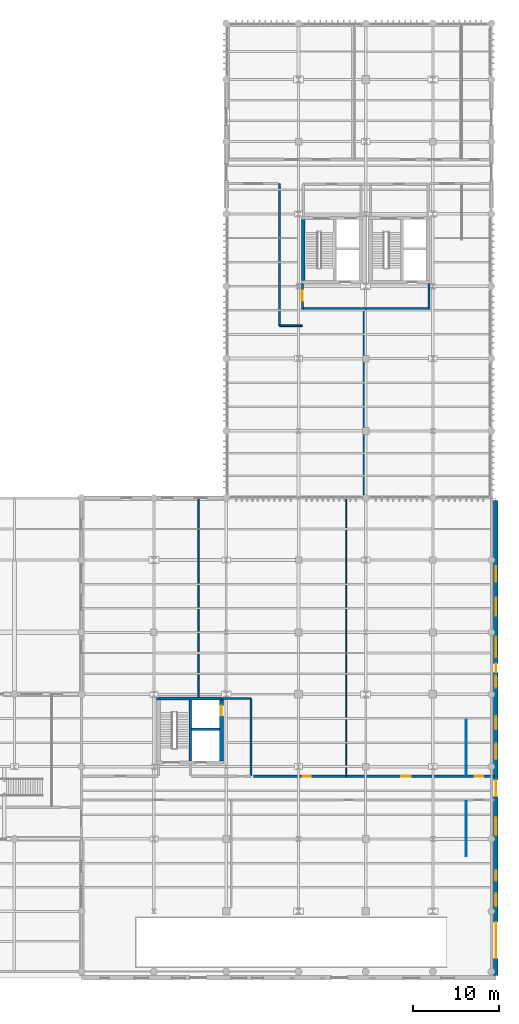
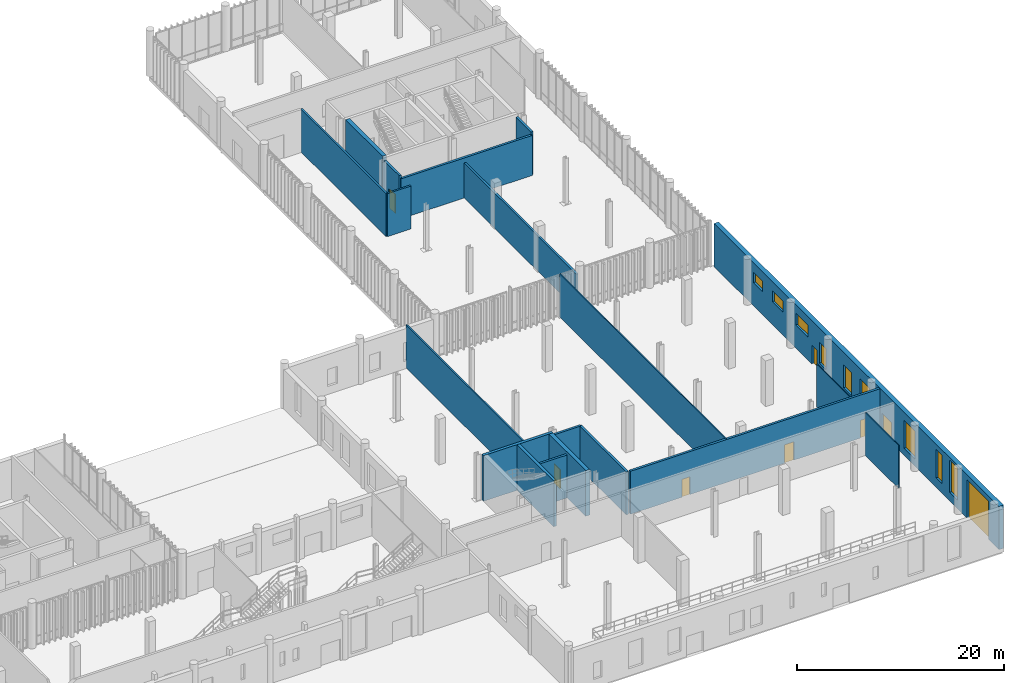
# One storey, part 93 of 112: 19 walls, 9 windows, 8 doors, 17 openings.
"""IFC4 building model written with IfcOpenShell, lengths in metres."""

import ifcopenshell
import ifcopenshell.guid

model = None  # the IFC model being written
_history = None  # IfcOwnerHistory: only IFC2X3 demands one
_inside = {}  # id of a spatial element -> (the spatial element, [elements in it])
_under = {}  # id of a project, library or spatial element -> (it, [spatial elements below it])
_declared = {}  # id of a project -> (the project, [libraries it declares])
_typed = {}  # id of a type object -> (the type object, [elements of that type])
_made_of = {}  # id of a material, layer set ... -> (it, [elements and type objects made of it])


def new_model(schema):
    """Start an empty IFC model of exactly this schema.

    Asked for "IFC4X3", IfcOpenShell would pick the latest addendum, in which some entities
    have other attributes; the version numbers below select the first issue.
    IFC2X3 requires an IfcOwnerHistory on every rooted entity: one is made here for all.
    """
    global model, _history
    if schema == "IFC4X3":
        model = ifcopenshell.file(schema_version=(4, 3, 0, 0))
    else:
        model = ifcopenshell.file(schema=schema)
    _inside.clear()
    _under.clear()
    _declared.clear()
    _typed.clear()
    _made_of.clear()
    _history = None
    if model.schema == "IFC2X3":
        org = make("IfcOrganization", Name="unknown")
        user = make(
            "IfcPersonAndOrganization",
            ThePerson=make("IfcPerson", FamilyName="unknown"),
            TheOrganization=org,
        )
        app = make(
            "IfcApplication",
            ApplicationDeveloper=org,
            Version="unknown",
            ApplicationFullName="unknown",
            ApplicationIdentifier="unknown",
        )
        _history = make(
            "IfcOwnerHistory",
            OwningUser=user,
            OwningApplication=app,
            ChangeAction="ADDED",
            CreationDate=0,
        )
    return model


def make(cls, **values):
    """One entity of the class cls with the attributes given. An attribute that is None is left unset."""
    return model.create_entity(
        cls, **{name: value for name, value in values.items() if value is not None}
    )


def rooted(cls, **values):
    """An entity with a GlobalId (a new one), such as an element, a storey or a relation."""
    return make(cls, GlobalId=ifcopenshell.guid.new(), OwnerHistory=_history, **values)


def si_unit(unit_type, name, prefix=None):
    """IfcSIUnit, for example si_unit("LENGTHUNIT", "METRE", prefix="MILLI")."""
    return make("IfcSIUnit", UnitType=unit_type, Prefix=prefix, Name=name)


def assignment(units):
    """IfcUnitAssignment: the units of a project."""
    return None if units is None else make("IfcUnitAssignment", Units=units)


def point(xyz):
    """IfcCartesianPoint."""
    return None if xyz is None else make("IfcCartesianPoint", Coordinates=xyz)


def direction(xyz):
    """IfcDirection."""
    return None if xyz is None else make("IfcDirection", DirectionRatios=xyz)


def frame(location, z_axis=None, x_axis=None):
    """IfcAxis2Placement3D, a coordinate frame: its origin and axes. An axis left out is left unset."""
    return make(
        "IfcAxis2Placement3D",
        Location=point(location),
        Axis=direction(z_axis),
        RefDirection=direction(x_axis),
    )


def frame_2d(location, x_axis=None):
    """IfcAxis2Placement2D, a coordinate frame in the plane: its origin and x axis."""
    return make(
        "IfcAxis2Placement2D", Location=point(location), RefDirection=direction(x_axis)
    )


def origin_with_axes():
    """The frame at (0, 0, 0) with the z axis (0, 0, 1) and the x axis (1, 0, 0) written out."""
    return frame((0.0, 0.0, 0.0), z_axis=(0.0, 0.0, 1.0), x_axis=(1.0, 0.0, 0.0))


def place(relative_to, where):
    """IfcLocalPlacement: puts the frame where relative to a parent placement (None: the world)."""
    return make(
        "IfcLocalPlacement", PlacementRelTo=relative_to, RelativePlacement=where
    )


def context(
    kind, dimensions, precision=None, world=None, true_north=None, identifier=None
):
    """IfcGeometricRepresentationContext, for example the 3D "Model" context."""
    return make(
        "IfcGeometricRepresentationContext",
        ContextIdentifier=identifier,
        ContextType=kind,
        CoordinateSpaceDimension=dimensions,
        Precision=precision,
        WorldCoordinateSystem=world,
        TrueNorth=true_north,
    )


def subcontext(parent, identifier, kind, view, scale=None):
    """IfcGeometricRepresentationSubContext, for example "Body" below "Model"."""
    return make(
        "IfcGeometricRepresentationSubContext",
        ContextIdentifier=identifier,
        ContextType=kind,
        ParentContext=parent,
        TargetScale=scale,
        TargetView=view,
    )


def project(units=None, contexts=None):
    """IfcProject with its units and contexts."""
    return rooted(
        "IfcProject",
        Name="project",
        RepresentationContexts=contexts,
        UnitsInContext=assignment(units),
    )


def spatial(cls, under=None, at=None, **own):
    """A site, building, storey or space (cls), placed at a placement, below another one or the project."""
    s = rooted(cls, ObjectPlacement=at, **own)
    if under is not None:
        _under.setdefault(under.id(), (under, []))[1].append(s)
    return s


def profile(cls, at=None, kind="AREA", **sizes):
    """A parametric profile (cls). Its sizes go by their IFC names, for example OverallWidth=200.0."""
    return make(cls, ProfileType=kind, Position=at, **sizes)


def rectangle(**sizes):
    """IfcRectangleProfileDef."""
    return profile("IfcRectangleProfileDef", **sizes)


def extrude(swept, where, along, depth):
    """IfcExtrudedAreaSolid: the profile swept, set in the frame where, extruded along a direction by depth."""
    return make(
        "IfcExtrudedAreaSolid",
        SweptArea=swept,
        Position=where,
        ExtrudedDirection=direction(along),
        Depth=depth,
    )


def shape(context_of_items, identifier, shape_type, items):
    """IfcShapeRepresentation: the items that make up one representation, for example the "Body"."""
    return make(
        "IfcShapeRepresentation",
        ContextOfItems=context_of_items,
        RepresentationIdentifier=identifier,
        RepresentationType=shape_type,
        Items=items,
    )


def material(Name=None, Category=None):
    """IfcMaterial."""
    return make("IfcMaterial", Name=Name, Category=Category)


def layer(
    of_material, thickness, ventilated=None, Name=None, Category=None, Priority=None
):
    """IfcMaterialLayer: one layer of a wall or slab, of a material (None: an air gap)."""
    return make(
        "IfcMaterialLayer",
        Material=of_material,
        LayerThickness=thickness,
        IsVentilated=ventilated,
        Name=Name,
        Category=Category,
        Priority=Priority,
    )


def layer_set(layers, Name=None):
    """IfcMaterialLayerSet."""
    return make("IfcMaterialLayerSet", MaterialLayers=layers, LayerSetName=Name)


def made_of(thing, what):
    """Note that an element or type object is made of a material, layer set ...; save() writes the relation."""
    if what is not None:
        _made_of.setdefault(what.id(), (what, []))[1].append(thing)
    return thing


def type_object(cls, material=None, **own):
    """A type object (cls), such as IfcWallType, which elements share."""
    return made_of(rooted(cls, **own), material)


def element(
    cls,
    number,
    at=None,
    inside=None,
    cuts=None,
    type_object=None,
    material=None,
    context=None,
    identifier="Body",
    shape_type=None,
    held_by="IfcProductDefinitionShape",
    body=None,
    shapes=None,
    **own,
):
    """One element of the class cls, such as IfcWall. Its Tag is "e" and its number.

    at: its placement. inside: the storey or other place that contains it. cuts: it is an
    opening in that element (IfcRelVoidsElement). A single representation is given by context,
    identifier, shape_type and body (its items); several are given by shapes. held_by: the class
    of the entity that holds the representations. save() writes the other relations.
    """
    e = rooted(cls, Tag="e%d" % number, ObjectPlacement=at, **own)
    if body is not None:
        shapes = [shape(context, identifier, shape_type, body)]
    if shapes is not None:
        e.Representation = make(held_by, Representations=shapes)
    if inside is not None:
        _inside.setdefault(inside.id(), (inside, []))[1].append(e)
    if cuts is not None:
        rooted(
            "IfcRelVoidsElement", RelatingBuildingElement=cuts, RelatedOpeningElement=e
        )
    if type_object is not None:
        _typed.setdefault(type_object.id(), (type_object, []))[1].append(e)
    return made_of(e, material)


def fill(opening, filler):
    """IfcRelFillsElement: the door or window that sits in an opening."""
    return rooted(
        "IfcRelFillsElement",
        RelatingOpeningElement=opening,
        RelatedBuildingElement=filler,
    )


def aggregate(whole, parts):
    """IfcRelAggregates: a whole, such as a stair, and the parts it consists of."""
    return rooted("IfcRelAggregates", RelatingObject=whole, RelatedObjects=parts)


def save(model, path):
    """Write the relations noted so far, then the file.

    IfcRelAggregates (storeys below a building ...), IfcRelContainedInSpatialStructure (elements
    in a storey), IfcRelDefinesByType, IfcRelAssociatesMaterial and IfcRelDeclares: one each for
    every whole, place, type object, material and project.
    """
    for whole, parts in _under.values():
        aggregate(whole, parts)
    for where, things in _inside.values():
        rooted(
            "IfcRelContainedInSpatialStructure",
            RelatedElements=things,
            RelatingStructure=where,
        )
    for kind, things in _typed.values():
        rooted("IfcRelDefinesByType", RelatedObjects=things, RelatingType=kind)
    for what, things in _made_of.values():
        rooted("IfcRelAssociatesMaterial", RelatedObjects=things, RelatingMaterial=what)
    for by, libraries in _declared.values():
        rooted("IfcRelDeclares", RelatingContext=by, RelatedDefinitions=libraries)
    model.write(path)


model = new_model("IFC4")

# Units and contexts
model_context = context("Model", 3, precision=1e-05, world=origin_with_axes(), true_north=direction((0.0, 1.0)))
body_context = subcontext(model_context, "Body", "Model", "MODEL_VIEW")
ifc_project = project(units=[si_unit("LENGTHUNIT", "METRE"), si_unit("AREAUNIT", "SQUARE_METRE"), si_unit("VOLUMEUNIT", "CUBIC_METRE"), si_unit("PLANEANGLEUNIT", "RADIAN"), si_unit("MASSUNIT", "GRAM", prefix="KILO"), si_unit("THERMODYNAMICTEMPERATUREUNIT", "KELVIN")], contexts=[model_context])

# Site, building, storey
site_placement = place(None, origin_with_axes())
site = spatial("IfcSite", under=ifc_project, at=site_placement, CompositionType="ELEMENT")
building_placement = place(site_placement, origin_with_axes())
building = spatial("IfcBuilding", under=site, at=building_placement, Name="Montbau Bow Law Courts", CompositionType="ELEMENT")
storey_placement = place(building_placement, origin_with_axes())
storey = spatial("IfcBuildingStorey", under=building, at=storey_placement, Name="L00", CompositionType="ELEMENT", Elevation=0.0)

# Wall
ifc_material_1 = material(Name="Concrete CSA A23.1 f'c 45 MPa", Category="concrete")
ifc_layer_1 = layer(ifc_material_1, 0.45, Name="Shear Wall", Category="concrete")
ifc_layer_set_1 = layer_set([ifc_layer_1], Name="Concrete CSA A23.1 f'c 45 MPa")
wall_type_1 = type_object("IfcWallType", Name="W-COR-02", PredefinedType="SHEAR", material=ifc_layer_set_1)
wall_1_placement = place(None, frame((147.54, 94.16, 0.0), z_axis=(0.0, 0.0, 1.0), x_axis=(0.0, -1.0, 0.0)))
element("IfcWall", 1, at=wall_1_placement, inside=storey, type_object=wall_type_1, Name="WC-L00-0274:wal_0341", PredefinedType="SHEAR", context=body_context, shape_type="SweptSolid", body=[
    extrude(rectangle(XDim=7.11999999999999, YDim=0.45, at=frame_2d((3.56, 0.0), x_axis=(1.0, 0.0))), origin_with_axes(), (0.0, 0.0, 1.0), 5.4),
])

# Wall, opening, door
wall_2_placement = place(None, frame((138.06, 31.24, 0.0), z_axis=(0.0, 0.0, 1.0), x_axis=(0.0, 1.0, 0.0)))
wall_2 = element("IfcWall", 2, at=wall_2_placement, inside=storey, type_object=wall_type_1, Name="WC-L00-0491:wal_0558", PredefinedType="SHEAR", context=body_context, shape_type="SweptSolid", body=[
    extrude(rectangle(XDim=7.120000000000001, YDim=0.45, at=frame_2d((3.56, 0.0), x_axis=(1.0, 0.0))), origin_with_axes(), (0.0, 0.0, 1.0), 5.4),
])
opening_1_placement = place(None, frame((138.06, 37.1, 0.0), z_axis=(0.0, 0.0, 1.0), x_axis=(0.0, 1.0, 0.0)))
opening_1 = element("IfcOpeningElement", 3, at=opening_1_placement, cuts=wall_2, Name="OP-LD-L00-EL-C2", PredefinedType="OPENING", context=body_context, shape_type="SweptSolid", body=[
    extrude(rectangle(XDim=1.18, YDim=2.24, at=frame_2d((0.0, 1.12), x_axis=(1.0, 0.0))), frame((0.0, 0.235, 0.0), z_axis=(0.0, -1.0, 0.0), x_axis=(1.0, 0.0, 0.0)), (0.0, 0.0, 1.0), 0.47),
])
ifc_material_2 = material(Name="Heavy-Gauge Security Custody Elevator Landing Door", Category="steel")
door_type_1 = type_object("IfcDoorType", Name="LD-CUS-01", OperationType="NOTDEFINED", ParameterTakesPrecedence=False, PredefinedType="DOOR", material=ifc_material_2)
door_1_placement = place(None, frame((138.06, 37.1, 0.0), z_axis=(0.0, 0.0, 1.0), x_axis=(0.0, 1.0, 0.0)))
door_1 = element("IfcDoor", 4, at=door_1_placement, inside=storey, type_object=door_type_1, Name="LD-L00-EL-C2:dor_0221", OperationType="SLIDING_TO_LEFT", OverallHeight=2.24, OverallWidth=1.18, PredefinedType="DOOR", context=body_context, shape_type="SweptSolid", body=[
    extrude(rectangle(XDim=1.18, YDim=2.24, at=frame_2d((0.0, 1.12), x_axis=(1.0, 0.0))), frame((0.0, 0.04, 0.0), z_axis=(0.0, -1.0, 0.0), x_axis=(1.0, 0.0, 0.0)), (0.0, 0.0, 1.0), 0.08),
])
fill(opening_1, door_1)

# Walls
ifc_layer_2 = layer(ifc_material_1, 0.32, Name="Shear Wall", Category="concrete")
ifc_layer_set_2 = layer_set([ifc_layer_2], Name="Concrete CSA A23.1 f'c 45 MPa")
wall_type_2 = type_object("IfcWallType", Name="W-COR-05", PredefinedType="SHEAR", material=ifc_layer_set_2)
wall_3_placement = place(None, frame((138.285, 38.52, 0.0), z_axis=(0.0, 0.0, 1.0), x_axis=(-1.0, 0.0, 0.0)))
element("IfcWall", 5, at=wall_3_placement, inside=storey, type_object=wall_type_2, Name="WC-L00-0490:wal_0557", PredefinedType="SHEAR", context=body_context, shape_type="SweptSolid", body=[
    extrude(rectangle(XDim=7.77000000000001, YDim=0.32, at=frame_2d((3.885, 0.0), x_axis=(1.0, 0.0))), origin_with_axes(), (0.0, 0.0, 1.0), 5.4),
])
wall_4_placement = place(None, frame((134.42, 31.24, 0.0), z_axis=(0.0, 0.0, 1.0), x_axis=(0.0, 1.0, 0.0)))
element("IfcWall", 6, at=wall_4_placement, inside=storey, type_object=wall_type_2, Name="WS-L00-0493:wal_0560", PredefinedType="SHEAR", context=body_context, shape_type="SweptSolid", body=[
    extrude(rectangle(XDim=7.120000000000001, YDim=0.32, at=frame_2d((3.56, 0.0), x_axis=(1.0, 0.0))), origin_with_axes(), (0.0, 0.0, 1.0), 5.4),
])

# Wall, openings, doors, windows
ifc_material_3 = material(Name="Canmore Rundlestone Plinth Masonry on Concrete Backing CSA A23.1 f'c 35 MPa", Category="masonry")
ifc_layer_3 = layer(ifc_material_3, 0.52, Name="Solid Wall", Category="masonry")
ifc_layer_set_3 = layer_set([ifc_layer_3], Name="Canmore Rundlestone Plinth Masonry on Concrete Backing CSA A23.1 f'c 35 MPa")
wall_type_3 = type_object("IfcWallType", Name="W-EXT-02", PredefinedType="SOLIDWALL", material=ifc_layer_set_3)
wall_5_placement = place(None, frame((169.92, 6.34, 0.0), z_axis=(0.0, 0.0, 1.0), x_axis=(0.0, 1.0, 0.0)))
wall_5 = element("IfcWall", 7, at=wall_5_placement, inside=storey, type_object=wall_type_3, Name="WE-L00-012:wal_0029", PredefinedType="SOLIDWALL", context=body_context, shape_type="SweptSolid", body=[
    extrude(rectangle(XDim=55.2, YDim=0.52, at=frame_2d((27.6, 0.0), x_axis=(1.0, 0.0))), origin_with_axes(), (0.0, 0.0, 1.0), 5.1),
])
opening_2_placement = place(None, frame((169.92, 28.09, 0.0), z_axis=(0.0, 0.0, 1.0), x_axis=(0.0, 1.0, 0.0)))
opening_2 = element("IfcOpeningElement", 8, at=opening_2_placement, cuts=wall_5, Name="OP-D-L00-E16", PredefinedType="OPENING", context=body_context, shape_type="SweptSolid", body=[
    extrude(rectangle(XDim=1.9, YDim=2.4, at=frame_2d((0.0, 1.2), x_axis=(1.0, 0.0))), frame((0.0, 0.27, 0.0), z_axis=(0.0, -1.0, 0.0), x_axis=(1.0, 0.0, 0.0)), (0.0, 0.0, 1.0), 0.54),
])
opening_3_placement = place(None, frame((169.92, 42.06, 0.0), z_axis=(0.0, 0.0, 1.0), x_axis=(0.0, 1.0, 0.0)))
opening_3 = element("IfcOpeningElement", 9, at=opening_3_placement, cuts=wall_5, Name="OP-D-L00-E22", PredefinedType="OPENING", context=body_context, shape_type="SweptSolid", body=[
    extrude(rectangle(XDim=1.04, YDim=2.24, at=frame_2d((0.0, 1.12), x_axis=(1.0, 0.0))), frame((0.0, 0.27, 0.0), z_axis=(0.0, -1.0, 0.0), x_axis=(1.0, 0.0, 0.0)), (0.0, 0.0, 1.0), 0.54),
])
opening_4_placement = place(None, frame((169.92, 10.44, 0.0), z_axis=(0.0, 0.0, 1.0), x_axis=(0.0, 1.0, 0.0)))
opening_4 = element("IfcOpeningElement", 10, at=opening_4_placement, cuts=wall_5, Name="OP-D-L00-SG1", PredefinedType="OPENING", context=body_context, shape_type="SweptSolid", body=[
    extrude(rectangle(XDim=4.2, YDim=4.52, at=frame_2d((0.0, 2.26), x_axis=(1.0, 0.0))), frame((0.0, 0.27, 0.0), z_axis=(0.0, -1.0, 0.0), x_axis=(1.0, 0.0, 0.0)), (0.0, 0.0, 1.0), 0.54),
])
opening_5_placement = place(None, frame((169.92, 15.14, 1.0), z_axis=(0.0, 0.0, 1.0), x_axis=(0.0, 1.0, 0.0)))
opening_5 = element("IfcOpeningElement", 11, at=opening_5_placement, cuts=wall_5, Name="OP-WN-L00-044", PredefinedType="OPENING", context=body_context, shape_type="SweptSolid", body=[
    extrude(rectangle(XDim=1.5, YDim=3.8, at=frame_2d((0.0, 1.9), x_axis=(1.0, 0.0))), frame((0.0, 0.27, 0.0), z_axis=(0.0, -1.0, 0.0), x_axis=(1.0, 0.0, 0.0)), (0.0, 0.0, 1.0), 0.54),
])
opening_6_placement = place(None, frame((169.92, 17.94, 1.1), z_axis=(0.0, 0.0, 1.0), x_axis=(0.0, 1.0, 0.0)))
opening_6 = element("IfcOpeningElement", 12, at=opening_6_placement, cuts=wall_5, Name="OP-WN-L00-045", PredefinedType="OPENING", context=body_context, shape_type="SweptSolid", body=[
    extrude(rectangle(XDim=1.2, YDim=3.4, at=frame_2d((0.0, 1.7), x_axis=(1.0, 0.0))), frame((0.0, 0.27, 0.0), z_axis=(0.0, -1.0, 0.0), x_axis=(1.0, 0.0, 0.0)), (0.0, 0.0, 1.0), 0.54),
])
opening_7_placement = place(None, frame((169.92, 23.69, 0.85), z_axis=(0.0, 0.0, 1.0), x_axis=(0.0, 1.0, 0.0)))
opening_7 = element("IfcOpeningElement", 13, at=opening_7_placement, cuts=wall_5, Name="OP-WN-L00-046", PredefinedType="OPENING", context=body_context, shape_type="SweptSolid", body=[
    extrude(rectangle(XDim=2.1, YDim=3.3, at=frame_2d((0.0, 1.65), x_axis=(1.0, 0.0))), frame((0.0, 0.27, 0.0), z_axis=(0.0, -1.0, 0.0), x_axis=(1.0, 0.0, 0.0)), (0.0, 0.0, 1.0), 0.54),
])
opening_8_placement = place(None, frame((169.92, 32.34, 0.9), z_axis=(0.0, 0.0, 1.0), x_axis=(0.0, 1.0, 0.0)))
opening_8 = element("IfcOpeningElement", 14, at=opening_8_placement, cuts=wall_5, Name="OP-WN-L00-047", PredefinedType="OPENING", context=body_context, shape_type="SweptSolid", body=[
    extrude(rectangle(XDim=1.8, YDim=3.0, at=frame_2d((0.0, 1.5), x_axis=(1.0, 0.0))), frame((0.0, 0.27, 0.0), z_axis=(0.0, -1.0, 0.0), x_axis=(1.0, 0.0, 0.0)), (0.0, 0.0, 1.0), 0.54),
])
opening_9_placement = place(None, frame((169.92, 35.69, 0.9), z_axis=(0.0, 0.0, 1.0), x_axis=(0.0, 1.0, 0.0)))
opening_9 = element("IfcOpeningElement", 15, at=opening_9_placement, cuts=wall_5, Name="OP-WN-L00-048", PredefinedType="OPENING", context=body_context, shape_type="SweptSolid", body=[
    extrude(rectangle(XDim=1.5, YDim=2.7, at=frame_2d((0.0, 1.35), x_axis=(1.0, 0.0))), frame((0.0, 0.27, 0.0), z_axis=(0.0, -1.0, 0.0), x_axis=(1.0, 0.0, 0.0)), (0.0, 0.0, 1.0), 0.54),
])
opening_10_placement = place(None, frame((169.92, 40.465, 0.95), z_axis=(0.0, 0.0, 1.0), x_axis=(0.0, 1.0, 0.0)))
opening_10 = element("IfcOpeningElement", 16, at=opening_10_placement, cuts=wall_5, Name="OP-WN-L00-049", PredefinedType="OPENING", context=body_context, shape_type="SweptSolid", body=[
    extrude(rectangle(XDim=1.35, YDim=2.5, at=frame_2d((0.0, 1.25), x_axis=(1.0, 0.0))), frame((0.0, 0.27, 0.0), z_axis=(0.0, -1.0, 0.0), x_axis=(1.0, 0.0, 0.0)), (0.0, 0.0, 1.0), 0.54),
])
opening_11_placement = place(None, frame((169.92, 44.49, 2.7), z_axis=(0.0, 0.0, 1.0), x_axis=(0.0, 1.0, 0.0)))
opening_11 = element("IfcOpeningElement", 17, at=opening_11_placement, cuts=wall_5, Name="OP-WN-L00-050", PredefinedType="OPENING", context=body_context, shape_type="SweptSolid", body=[
    extrude(rectangle(XDim=2.4, YDim=1.4, at=frame_2d((0.0, 0.7), x_axis=(1.0, 0.0))), frame((0.0, 0.27, 0.0), z_axis=(0.0, -1.0, 0.0), x_axis=(1.0, 0.0, 0.0)), (0.0, 0.0, 1.0), 0.54),
])
opening_12_placement = place(None, frame((169.92, 49.19, 2.7), z_axis=(0.0, 0.0, 1.0), x_axis=(0.0, 1.0, 0.0)))
opening_12 = element("IfcOpeningElement", 18, at=opening_12_placement, cuts=wall_5, Name="OP-WN-L00-051", PredefinedType="OPENING", context=body_context, shape_type="SweptSolid", body=[
    extrude(rectangle(XDim=2.1, YDim=1.3, at=frame_2d((0.0, 0.65), x_axis=(1.0, 0.0))), frame((0.0, 0.27, 0.0), z_axis=(0.0, -1.0, 0.0), x_axis=(1.0, 0.0, 0.0)), (0.0, 0.0, 1.0), 0.54),
])
opening_13_placement = place(None, frame((169.92, 52.99, 2.75), z_axis=(0.0, 0.0, 1.0), x_axis=(0.0, 1.0, 0.0)))
opening_13 = element("IfcOpeningElement", 19, at=opening_13_placement, cuts=wall_5, Name="OP-WN-L00-052", PredefinedType="OPENING", context=body_context, shape_type="SweptSolid", body=[
    extrude(rectangle(XDim=1.8, YDim=1.2, at=frame_2d((0.0, 0.6), x_axis=(1.0, 0.0))), frame((0.0, 0.27, 0.0), z_axis=(0.0, -1.0, 0.0), x_axis=(1.0, 0.0, 0.0)), (0.0, 0.0, 1.0), 0.54),
])
ifc_material_4 = material(Name="Insulated Hollow-Metal Exit Discharge Door", Category="steel")
door_type_2 = type_object("IfcDoorType", Name="D-EXT-04", OperationType="NOTDEFINED", ParameterTakesPrecedence=False, PredefinedType="DOOR", material=ifc_material_4)
door_2_placement = place(None, frame((169.92, 28.09, 0.0), z_axis=(0.0, 0.0, 1.0), x_axis=(0.0, -1.0, 0.0)))
door_2 = element("IfcDoor", 20, at=door_2_placement, inside=storey, type_object=door_type_2, Name="D-L00-E16:dor_0021", OperationType="DOUBLE_DOOR_SINGLE_SWING", OverallHeight=2.4, OverallWidth=1.9, PredefinedType="DOOR", context=body_context, shape_type="SweptSolid", body=[
    extrude(rectangle(XDim=1.9, YDim=2.4, at=frame_2d((0.0, 1.2), x_axis=(1.0, 0.0))), frame((0.0, 0.04, 0.0), z_axis=(0.0, -1.0, 0.0), x_axis=(1.0, 0.0, 0.0)), (0.0, 0.0, 1.0), 0.08),
])
fill(opening_2, door_2)
ifc_material_5 = material(Name="Insulated Personnel Yard Exit Door", Category="steel")
door_type_3 = type_object("IfcDoorType", Name="D-EXT-08", OperationType="NOTDEFINED", ParameterTakesPrecedence=False, PredefinedType="DOOR", material=ifc_material_5)
door_3_placement = place(None, frame((169.92, 42.06, 0.0), z_axis=(0.0, 0.0, 1.0), x_axis=(0.0, -1.0, 0.0)))
door_3 = element("IfcDoor", 21, at=door_3_placement, inside=storey, type_object=door_type_3, Name="D-L00-E22:dor_0022", OperationType="SINGLE_SWING_RIGHT", OverallHeight=2.24, OverallWidth=1.04, PredefinedType="DOOR", context=body_context, shape_type="SweptSolid", body=[
    extrude(rectangle(XDim=1.04, YDim=2.24, at=frame_2d((0.0, 1.12), x_axis=(1.0, 0.0))), frame((0.0, 0.04, 0.0), z_axis=(0.0, -1.0, 0.0), x_axis=(1.0, 0.0, 0.0)), (0.0, 0.0, 1.0), 0.08),
])
fill(opening_3, door_3)
ifc_material_6 = material(Name="Insulated High-Security Steel Vehicular Sally-Port Shutter", Category="steel")
door_type_4 = type_object("IfcDoorType", Name="D-VEH-01", OperationType="NOTDEFINED", ParameterTakesPrecedence=False, PredefinedType="DOOR", material=ifc_material_6)
door_4_placement = place(None, frame((169.92, 10.44, 0.0), z_axis=(0.0, 0.0, 1.0), x_axis=(0.0, 1.0, 0.0)))
door_4 = element("IfcDoor", 22, at=door_4_placement, inside=storey, type_object=door_type_4, Name="D-L00-SG1:dor_0023", OperationType="ROLLINGUP", OverallHeight=4.52, OverallWidth=4.2, PredefinedType="DOOR", context=body_context, shape_type="SweptSolid", body=[
    extrude(rectangle(XDim=4.2, YDim=4.52, at=frame_2d((0.0, 2.26), x_axis=(1.0, 0.0))), frame((0.0, 0.04, 0.0), z_axis=(0.0, -1.0, 0.0), x_axis=(1.0, 0.0, 0.0)), (0.0, 0.0, 1.0), 0.08),
])
fill(opening_4, door_4)
ifc_material_7 = material(Name="Triple-Glazed Low-E Argon Insulating Glass Unit", Category="glass")
window_type_1 = type_object("IfcWindowType", Name="WN-CER-02", ParameterTakesPrecedence=False, PartitioningType="SINGLE_PANEL", PredefinedType="WINDOW", material=ifc_material_7)
window_1_placement = place(None, frame((169.92, 15.14, 1.0), z_axis=(0.0, 0.0, 1.0), x_axis=(0.0, 1.0, 0.0)))
window_1 = element("IfcWindow", 23, at=window_1_placement, inside=storey, type_object=window_type_1, Name="WN-L00-044:win_0044", OverallHeight=3.8, OverallWidth=1.5, PartitioningType="SINGLE_PANEL", PredefinedType="WINDOW", context=body_context, shape_type="SweptSolid", body=[
    extrude(rectangle(XDim=1.5, YDim=3.8, at=frame_2d((0.0, 1.9), x_axis=(1.0, 0.0))), frame((0.0, 0.03, 0.0), z_axis=(0.0, -1.0, 0.0), x_axis=(1.0, 0.0, 0.0)), (0.0, 0.0, 1.0), 0.06),
])
fill(opening_5, window_1)
window_type_2 = type_object("IfcWindowType", Name="WN-CER-03", ParameterTakesPrecedence=False, PartitioningType="SINGLE_PANEL", PredefinedType="WINDOW", material=ifc_material_7)
window_2_placement = place(None, frame((169.92, 17.94, 1.1), z_axis=(0.0, 0.0, 1.0), x_axis=(0.0, 1.0, 0.0)))
window_2 = element("IfcWindow", 24, at=window_2_placement, inside=storey, type_object=window_type_2, Name="WN-L00-045:win_0045", OverallHeight=3.4, OverallWidth=1.2, PartitioningType="SINGLE_PANEL", PredefinedType="WINDOW", context=body_context, shape_type="SweptSolid", body=[
    extrude(rectangle(XDim=1.2, YDim=3.4, at=frame_2d((0.0, 1.7), x_axis=(1.0, 0.0))), frame((0.0, 0.03, 0.0), z_axis=(0.0, -1.0, 0.0), x_axis=(1.0, 0.0, 0.0)), (0.0, 0.0, 1.0), 0.06),
])
fill(opening_6, window_2)
window_type_3 = type_object("IfcWindowType", Name="WN-CRT-01", ParameterTakesPrecedence=False, PartitioningType="SINGLE_PANEL", PredefinedType="WINDOW", material=ifc_material_7)
window_3_placement = place(None, frame((169.92, 44.49, 2.7), z_axis=(0.0, 0.0, 1.0), x_axis=(0.0, 1.0, 0.0)))
window_3 = element("IfcWindow", 25, at=window_3_placement, inside=storey, type_object=window_type_3, Name="WN-L00-050:win_0050", OverallHeight=1.4, OverallWidth=2.4, PartitioningType="SINGLE_PANEL", PredefinedType="WINDOW", context=body_context, shape_type="SweptSolid", body=[
    extrude(rectangle(XDim=2.4, YDim=1.4, at=frame_2d((0.0, 0.7), x_axis=(1.0, 0.0))), frame((0.0, 0.03, 0.0), z_axis=(0.0, -1.0, 0.0), x_axis=(1.0, 0.0, 0.0)), (0.0, 0.0, 1.0), 0.06),
])
fill(opening_11, window_3)
window_type_4 = type_object("IfcWindowType", Name="WN-CRT-02", ParameterTakesPrecedence=False, PartitioningType="SINGLE_PANEL", PredefinedType="WINDOW", material=ifc_material_7)
window_4_placement = place(None, frame((169.92, 49.19, 2.7), z_axis=(0.0, 0.0, 1.0), x_axis=(0.0, 1.0, 0.0)))
window_4 = element("IfcWindow", 26, at=window_4_placement, inside=storey, type_object=window_type_4, Name="WN-L00-051:win_0051", OverallHeight=1.3, OverallWidth=2.1, PartitioningType="SINGLE_PANEL", PredefinedType="WINDOW", context=body_context, shape_type="SweptSolid", body=[
    extrude(rectangle(XDim=2.1, YDim=1.3, at=frame_2d((0.0, 0.65), x_axis=(1.0, 0.0))), frame((0.0, 0.03, 0.0), z_axis=(0.0, -1.0, 0.0), x_axis=(1.0, 0.0, 0.0)), (0.0, 0.0, 1.0), 0.06),
])
fill(opening_12, window_4)
window_type_5 = type_object("IfcWindowType", Name="WN-CRT-03", ParameterTakesPrecedence=False, PartitioningType="SINGLE_PANEL", PredefinedType="WINDOW", material=ifc_material_7)
window_5_placement = place(None, frame((169.92, 52.99, 2.75), z_axis=(0.0, 0.0, 1.0), x_axis=(0.0, 1.0, 0.0)))
window_5 = element("IfcWindow", 27, at=window_5_placement, inside=storey, type_object=window_type_5, Name="WN-L00-052:win_0052", OverallHeight=1.2, OverallWidth=1.8, PartitioningType="SINGLE_PANEL", PredefinedType="WINDOW", context=body_context, shape_type="SweptSolid", body=[
    extrude(rectangle(XDim=1.8, YDim=1.2, at=frame_2d((0.0, 0.6), x_axis=(1.0, 0.0))), frame((0.0, 0.03, 0.0), z_axis=(0.0, -1.0, 0.0), x_axis=(1.0, 0.0, 0.0)), (0.0, 0.0, 1.0), 0.06),
])
fill(opening_13, window_5)
window_type_6 = type_object("IfcWindowType", Name="WN-PLN-01", ParameterTakesPrecedence=False, PartitioningType="SINGLE_PANEL", PredefinedType="WINDOW", material=ifc_material_7)
window_6_placement = place(None, frame((169.92, 23.69, 0.85), z_axis=(0.0, 0.0, 1.0), x_axis=(0.0, 1.0, 0.0)))
window_6 = element("IfcWindow", 28, at=window_6_placement, inside=storey, type_object=window_type_6, Name="WN-L00-046:win_0046", OverallHeight=3.3, OverallWidth=2.1, PartitioningType="SINGLE_PANEL", PredefinedType="WINDOW", context=body_context, shape_type="SweptSolid", body=[
    extrude(rectangle(XDim=2.1, YDim=3.3, at=frame_2d((0.0, 1.65), x_axis=(1.0, 0.0))), frame((0.0, 0.03, 0.0), z_axis=(0.0, -1.0, 0.0), x_axis=(1.0, 0.0, 0.0)), (0.0, 0.0, 1.0), 0.06),
])
fill(opening_7, window_6)
window_type_7 = type_object("IfcWindowType", Name="WN-PLN-02", ParameterTakesPrecedence=False, PartitioningType="SINGLE_PANEL", PredefinedType="WINDOW", material=ifc_material_7)
window_7_placement = place(None, frame((169.92, 32.34, 0.9), z_axis=(0.0, 0.0, 1.0), x_axis=(0.0, 1.0, 0.0)))
window_7 = element("IfcWindow", 29, at=window_7_placement, inside=storey, type_object=window_type_7, Name="WN-L00-047:win_0047", OverallHeight=3.0, OverallWidth=1.8, PartitioningType="SINGLE_PANEL", PredefinedType="WINDOW", context=body_context, shape_type="SweptSolid", body=[
    extrude(rectangle(XDim=1.8, YDim=3.0, at=frame_2d((0.0, 1.5), x_axis=(1.0, 0.0))), frame((0.0, 0.03, 0.0), z_axis=(0.0, -1.0, 0.0), x_axis=(1.0, 0.0, 0.0)), (0.0, 0.0, 1.0), 0.06),
])
fill(opening_8, window_7)
window_type_8 = type_object("IfcWindowType", Name="WN-PLN-03", ParameterTakesPrecedence=False, PartitioningType="SINGLE_PANEL", PredefinedType="WINDOW", material=ifc_material_7)
window_8_placement = place(None, frame((169.92, 35.69, 0.9), z_axis=(0.0, 0.0, 1.0), x_axis=(0.0, 1.0, 0.0)))
window_8 = element("IfcWindow", 30, at=window_8_placement, inside=storey, type_object=window_type_8, Name="WN-L00-048:win_0048", OverallHeight=2.7, OverallWidth=1.5, PartitioningType="SINGLE_PANEL", PredefinedType="WINDOW", context=body_context, shape_type="SweptSolid", body=[
    extrude(rectangle(XDim=1.5, YDim=2.7, at=frame_2d((0.0, 1.35), x_axis=(1.0, 0.0))), frame((0.0, 0.03, 0.0), z_axis=(0.0, -1.0, 0.0), x_axis=(1.0, 0.0, 0.0)), (0.0, 0.0, 1.0), 0.06),
])
fill(opening_9, window_8)
window_type_9 = type_object("IfcWindowType", Name="WN-PLN-04", ParameterTakesPrecedence=False, PartitioningType="SINGLE_PANEL", PredefinedType="WINDOW", material=ifc_material_7)
window_9_placement = place(None, frame((169.92, 40.465, 0.95), z_axis=(0.0, 0.0, 1.0), x_axis=(0.0, 1.0, 0.0)))
window_9 = element("IfcWindow", 31, at=window_9_placement, inside=storey, type_object=window_type_9, Name="WN-L00-049:win_0049", OverallHeight=2.5, OverallWidth=1.35, PartitioningType="SINGLE_PANEL", PredefinedType="WINDOW", context=body_context, shape_type="SweptSolid", body=[
    extrude(rectangle(XDim=1.35, YDim=2.5, at=frame_2d((0.0, 1.25), x_axis=(1.0, 0.0))), frame((0.0, 0.03, 0.0), z_axis=(0.0, -1.0, 0.0), x_axis=(1.0, 0.0, 0.0)), (0.0, 0.0, 1.0), 0.06),
])
fill(opening_10, window_9)

# Walls
ifc_material_8 = material(Name="2 h Shaft and Exit-Passage Fire Separation Partition", Category="gypsum")
ifc_layer_4 = layer(ifc_material_8, 0.25, Name="Partition", Category="gypsum")
ifc_layer_set_4 = layer_set([ifc_layer_4], Name="2 h Shaft and Exit-Passage Fire Separation Partition")
wall_type_4 = type_object("IfcWallType", Name="W-PRT-01", PredefinedType="PARTITIONING", material=ifc_layer_set_4)
wall_6_placement = place(None, frame((147.44, 83.78, 0.0), z_axis=(0.0, 0.0, 1.0), x_axis=(1.0, 0.0, 0.0)))
element("IfcWall", 32, at=wall_6_placement, inside=storey, type_object=wall_type_4, Name="WEL-L00-0280:wal_0347", PredefinedType="PARTITIONING", context=body_context, shape_type="SweptSolid", body=[
    extrude(rectangle(XDim=14.719999999999999, YDim=0.25, at=frame_2d((7.36, 0.0), x_axis=(1.0, 0.0))), origin_with_axes(), (0.0, 0.0, 1.0), 4.732),
])
wall_7_placement = place(None, frame((162.16, 83.78, 0.0), z_axis=(0.0, 0.0, 1.0), x_axis=(0.0, 1.0, 0.0)))
element("IfcWall", 33, at=wall_7_placement, inside=storey, type_object=wall_type_4, Name="WEL-L00-0281:wal_0348", PredefinedType="PARTITIONING", context=body_context, shape_type="SweptSolid", body=[
    extrude(rectangle(XDim=2.9200000000000017, YDim=0.25, at=frame_2d((1.46, 0.0), x_axis=(1.0, 0.0))), origin_with_axes(), (0.0, 0.0, 1.0), 5.08),
])

# Wall, opening, door
wall_8_placement = place(None, frame((147.44, 86.7, 0.0), z_axis=(0.0, 0.0, 1.0), x_axis=(0.0, -1.0, 0.0)))
wall_8 = element("IfcWall", 34, at=wall_8_placement, inside=storey, type_object=wall_type_4, Name="WEL-L00-0282:wal_0349", PredefinedType="PARTITIONING", context=body_context, shape_type="SweptSolid", body=[
    extrude(rectangle(XDim=2.9200000000000017, YDim=0.25, at=frame_2d((1.46, 0.0), x_axis=(1.0, 0.0))), origin_with_axes(), (0.0, 0.0, 1.0), 5.08),
])
opening_14_placement = place(None, frame((147.44, 85.275, 0.0), z_axis=(0.0, 0.0, 1.0), x_axis=(0.0, -1.0, 0.0)))
opening_14 = element("IfcOpeningElement", 35, at=opening_14_placement, cuts=wall_8, Name="OP-D-L00-ELB-NE", PredefinedType="OPENING", context=body_context, shape_type="SweptSolid", body=[
    extrude(rectangle(XDim=1.15, YDim=2.25, at=frame_2d((0.0, 1.125), x_axis=(1.0, 0.0))), frame((0.0, 0.135, 0.0), z_axis=(0.0, -1.0, 0.0), x_axis=(1.0, 0.0, 0.0)), (0.0, 0.0, 1.0), 0.27),
])
ifc_material_9 = material(Name="1.5 h Smoke-Sealed Firefighters Lobby Door", Category="steel")
door_type_5 = type_object("IfcDoorType", Name="D-FFL-01", OperationType="NOTDEFINED", ParameterTakesPrecedence=False, PredefinedType="DOOR", material=ifc_material_9)
door_5_placement = place(None, frame((147.44, 85.275, 0.0), z_axis=(0.0, 0.0, 1.0), x_axis=(0.0, -1.0, 0.0)))
door_5 = element("IfcDoor", 36, at=door_5_placement, inside=storey, type_object=door_type_5, Name="D-L00-ELB-NE:dor_0143", OperationType="SINGLE_SWING_RIGHT", OverallHeight=2.25, OverallWidth=1.15, PredefinedType="DOOR", context=body_context, shape_type="SweptSolid", body=[
    extrude(rectangle(XDim=1.15, YDim=2.25, at=frame_2d((0.0, 1.125), x_axis=(1.0, 0.0))), frame((0.0, 0.04, 0.0), z_axis=(0.0, -1.0, 0.0), x_axis=(1.0, 0.0, 0.0)), (0.0, 0.0, 1.0), 0.08),
])
fill(opening_14, door_5)

# Walls
wall_9_placement = place(None, frame((134.58, 34.949, 0.0), z_axis=(0.0, 0.0, 1.0), x_axis=(1.0, 0.0, 0.0)))
element("IfcWall", 37, at=wall_9_placement, inside=storey, type_object=wall_type_4, Name="WS-L00-0494:wal_0561", PredefinedType="PARTITIONING", context=body_context, shape_type="SweptSolid", body=[
    extrude(rectangle(XDim=3.2549999999999955, YDim=0.25, at=frame_2d((1.6275, 0.0), x_axis=(1.0, 0.0))), origin_with_axes(), (0.0, 0.0, 1.0), 5.08),
])
wall_10_placement = place(None, frame((141.46, 29.49, 0.0), z_axis=(0.0, 0.0, 1.0), x_axis=(0.0, 1.0, 0.0)))
element("IfcWall", 38, at=wall_10_placement, inside=storey, type_object=wall_type_4, Name="WEL-L00-0495:wal_0562", PredefinedType="PARTITIONING", context=body_context, shape_type="SweptSolid", body=[
    extrude(rectangle(XDim=9.030000000000005, YDim=0.25, at=frame_2d((4.515, 0.0), x_axis=(1.0, 0.0))), origin_with_axes(), (0.0, 0.0, 1.0), 5.08),
])
wall_11_placement = place(None, frame((138.1, 38.52, 0.0), z_axis=(0.0, 0.0, 1.0), x_axis=(1.0, 0.0, 0.0)))
element("IfcWall", 39, at=wall_11_placement, inside=storey, type_object=wall_type_4, Name="WEL-L00-0496:wal_0563", PredefinedType="PARTITIONING", context=body_context, shape_type="SweptSolid", body=[
    extrude(rectangle(XDim=3.3600000000000136, YDim=0.25, at=frame_2d((1.68, 0.0), x_axis=(1.0, 0.0))), origin_with_axes(), (0.0, 0.0, 1.0), 5.08),
])

# Wall, openings, doors
wall_12_placement = place(None, frame((141.755, 29.49, 0.0), z_axis=(0.0, 0.0, 1.0), x_axis=(1.0, 0.0, 0.0)))
wall_12 = element("IfcWall", 40, at=wall_12_placement, inside=storey, type_object=wall_type_4, Name="WP-L00-0663:wal_0730", PredefinedType="PARTITIONING", context=body_context, shape_type="SweptSolid", body=[
    extrude(rectangle(XDim=28.025000000000006, YDim=0.25, at=frame_2d((14.0125, 0.0), x_axis=(1.0, 0.0))), origin_with_axes(), (0.0, 0.0, 1.0), 5.08),
])
opening_15_placement = place(None, frame((147.957, 29.49, 0.0), z_axis=(0.0, 0.0, 1.0), x_axis=(1.0, 0.0, 0.0)))
opening_15 = element("IfcOpeningElement", 41, at=opening_15_placement, cuts=wall_12, Name="OP-D-L00-260", PredefinedType="OPENING", context=body_context, shape_type="SweptSolid", body=[
    extrude(rectangle(XDim=0.93, YDim=2.1, at=frame_2d((0.0, 1.05), x_axis=(1.0, 0.0))), frame((0.0, 0.135, 0.0), z_axis=(0.0, -1.0, 0.0), x_axis=(1.0, 0.0, 0.0)), (0.0, 0.0, 1.0), 0.27),
])
opening_16_placement = place(None, frame((159.498, 29.49, 0.0), z_axis=(0.0, 0.0, 1.0), x_axis=(1.0, 0.0, 0.0)))
opening_16 = element("IfcOpeningElement", 42, at=opening_16_placement, cuts=wall_12, Name="OP-D-L00-261", PredefinedType="OPENING", context=body_context, shape_type="SweptSolid", body=[
    extrude(rectangle(XDim=1.08, YDim=2.18, at=frame_2d((0.0, 1.09), x_axis=(1.0, 0.0))), frame((0.0, 0.135, 0.0), z_axis=(0.0, -1.0, 0.0), x_axis=(1.0, 0.0, 0.0)), (0.0, 0.0, 1.0), 0.27),
])
opening_17_placement = place(None, frame((167.958, 29.49, 0.0), z_axis=(0.0, 0.0, 1.0), x_axis=(1.0, 0.0, 0.0)))
opening_17 = element("IfcOpeningElement", 43, at=opening_17_placement, cuts=wall_12, Name="OP-D-L00-262", PredefinedType="OPENING", context=body_context, shape_type="SweptSolid", body=[
    extrude(rectangle(XDim=0.95, YDim=2.1, at=frame_2d((0.0, 1.05), x_axis=(1.0, 0.0))), frame((0.0, 0.135, 0.0), z_axis=(0.0, -1.0, 0.0), x_axis=(1.0, 0.0, 0.0)), (0.0, 0.0, 1.0), 0.27),
])
ifc_material_10 = material(Name="Custody Holding Cell Steel Observation Door", Category="steel")
door_type_6 = type_object("IfcDoorType", Name="D-CEL-01", OperationType="NOTDEFINED", ParameterTakesPrecedence=False, PredefinedType="DOOR", material=ifc_material_10)
door_6_placement = place(None, frame((147.957, 29.49, 0.0), z_axis=(0.0, 0.0, 1.0), x_axis=(-1.0, 0.0, 0.0)))
door_6 = element("IfcDoor", 44, at=door_6_placement, inside=storey, type_object=door_type_6, Name="D-L00-260:dor_0295", OperationType="SINGLE_SWING_RIGHT", OverallHeight=2.1, OverallWidth=0.93, PredefinedType="DOOR", context=body_context, shape_type="SweptSolid", body=[
    extrude(rectangle(XDim=0.93, YDim=2.1, at=frame_2d((0.0, 1.05), x_axis=(1.0, 0.0))), frame((0.0, 0.04, 0.0), z_axis=(0.0, -1.0, 0.0), x_axis=(1.0, 0.0, 0.0)), (0.0, 0.0, 1.0), 0.08),
])
fill(opening_15, door_6)
ifc_material_11 = material(Name="Detention-Grade Steel Custody Corridor Interlock Gate", Category="steel")
door_type_7 = type_object("IfcDoorType", Name="D-GAT-02", OperationType="NOTDEFINED", ParameterTakesPrecedence=False, PredefinedType="GATE", material=ifc_material_11)
door_7_placement = place(None, frame((159.498, 29.49, 0.0), z_axis=(0.0, 0.0, 1.0), x_axis=(-1.0, 0.0, 0.0)))
door_7 = element("IfcDoor", 45, at=door_7_placement, inside=storey, type_object=door_type_7, Name="D-L00-261:dor_0296", OperationType="SINGLE_SWING_LEFT", OverallHeight=2.18, OverallWidth=1.08, PredefinedType="GATE", context=body_context, shape_type="SweptSolid", body=[
    extrude(rectangle(XDim=1.08, YDim=2.18, at=frame_2d((0.0, 1.09), x_axis=(1.0, 0.0))), frame((0.0, 0.04, 0.0), z_axis=(0.0, -1.0, 0.0), x_axis=(1.0, 0.0, 0.0)), (0.0, 0.0, 1.0), 0.08),
])
fill(opening_16, door_7)
ifc_material_12 = material(Name="CSA B651 Universal Barrier-Free Washroom Door", Category="wood")
door_type_8 = type_object("IfcDoorType", Name="D-WC-01", OperationType="NOTDEFINED", ParameterTakesPrecedence=False, PredefinedType="DOOR", material=ifc_material_12)
door_8_placement = place(None, frame((167.958, 29.49, 0.0), z_axis=(0.0, 0.0, 1.0), x_axis=(-1.0, 0.0, 0.0)))
door_8 = element("IfcDoor", 46, at=door_8_placement, inside=storey, type_object=door_type_8, Name="D-L00-262:dor_0297", OperationType="SINGLE_SWING_RIGHT", OverallHeight=2.1, OverallWidth=0.95, PredefinedType="DOOR", context=body_context, shape_type="SweptSolid", body=[
    extrude(rectangle(XDim=0.95, YDim=2.1, at=frame_2d((0.0, 1.05), x_axis=(1.0, 0.0))), frame((0.0, 0.04, 0.0), z_axis=(0.0, -1.0, 0.0), x_axis=(1.0, 0.0, 0.0)), (0.0, 0.0, 1.0), 0.08),
])
fill(opening_17, door_8)

# Walls
ifc_material_13 = material(Name="STC-60 High-Acoustic Courtroom Perimeter Partition", Category="gypsum")
ifc_layer_5 = layer(ifc_material_13, 0.22, Name="Partition", Category="gypsum")
ifc_layer_set_5 = layer_set([ifc_layer_5], Name="STC-60 High-Acoustic Courtroom Perimeter Partition")
wall_type_5 = type_object("IfcWallType", Name="W-PRT-02", PredefinedType="PARTITIONING", material=ifc_layer_set_5)
wall_13_placement = place(None, frame((154.607, 61.94, 0.0), z_axis=(0.0, 0.0, 1.0), x_axis=(0.0, 1.0, 0.0)))
element("IfcWall", 47, at=wall_13_placement, inside=storey, type_object=wall_type_5, Name="WD-L00-0658:wal_0725", PredefinedType="PARTITIONING", context=body_context, shape_type="SweptSolid", body=[
    extrude(rectangle(XDim=21.72, YDim=0.22, at=frame_2d((10.86, 0.0), x_axis=(1.0, 0.0))), origin_with_axes(), (0.0, 0.0, 1.0), 4.161),
])
ifc_material_14 = material(Name="STC-55 Jury Deliberation Security Partition", Category="gypsum")
ifc_layer_6 = layer(ifc_material_14, 0.2, Name="Partition", Category="gypsum")
ifc_layer_set_6 = layer_set([ifc_layer_6], Name="STC-55 Jury Deliberation Security Partition")
wall_type_6 = type_object("IfcWallType", Name="W-PRT-03", PredefinedType="PARTITIONING", material=ifc_layer_set_6)
wall_14_placement = place(None, frame((144.8, 81.8, 0.0), z_axis=(0.0, 0.0, 1.0), x_axis=(0.0, 1.0, 0.0)))
element("IfcWall", 48, at=wall_14_placement, inside=storey, type_object=wall_type_6, Name="WCX-L00-0650:wal_0717", PredefinedType="PARTITIONING", context=body_context, shape_type="SweptSolid", body=[
    extrude(rectangle(XDim=16.510000000000005, YDim=0.2, at=frame_2d((8.255, 0.0), x_axis=(1.0, 0.0))), origin_with_axes(), (0.0, 0.0, 1.0), 5.08),
])
wall_15_placement = place(None, frame((144.8, 81.8, 0.0), z_axis=(0.0, 0.0, 1.0), x_axis=(1.0, 0.0, 0.0)))
element("IfcWall", 49, at=wall_15_placement, inside=storey, type_object=wall_type_6, Name="WCX-L00-0651:wal_0718", PredefinedType="PARTITIONING", context=body_context, shape_type="SweptSolid", body=[
    extrude(rectangle(XDim=2.6399999999999864, YDim=0.2, at=frame_2d((1.32, 0.0), x_axis=(1.0, 0.0))), origin_with_axes(), (0.0, 0.0, 1.0), 5.08),
])
ifc_material_15 = material(Name="STC-52 Judicial Chambers Acoustic Partition", Category="gypsum")
ifc_layer_7 = layer(ifc_material_15, 0.16, Name="Partition", Category="gypsum")
ifc_layer_set_7 = layer_set([ifc_layer_7], Name="STC-52 Judicial Chambers Acoustic Partition")
wall_type_7 = type_object("IfcWallType", Name="W-PRT-05", PredefinedType="PARTITIONING", material=ifc_layer_set_7)
wall_16_placement = place(None, frame((135.37, 38.7, 0.0), z_axis=(0.0, 0.0, 1.0), x_axis=(0.0, 1.0, 0.0)))
element("IfcWall", 50, at=wall_16_placement, inside=storey, type_object=wall_type_7, Name="WD-L00-0667:wal_0734", PredefinedType="PARTITIONING", context=body_context, shape_type="SweptSolid", body=[
    extrude(rectangle(XDim=22.959999999999994, YDim=0.16, at=frame_2d((11.48, 0.0), x_axis=(1.0, 0.0))), origin_with_axes(), (0.0, 0.0, 1.0), 5.08),
])
ifc_material_16 = material(Name="1 h Interior Demising Acoustic Stud Partition", Category="gypsum")
ifc_layer_8 = layer(ifc_material_16, 0.12, Name="Partition", Category="gypsum")
ifc_layer_set_8 = layer_set([ifc_layer_8], Name="1 h Interior Demising Acoustic Stud Partition")
wall_type_8 = type_object("IfcWallType", Name="W-PRT-07", PredefinedType="PARTITIONING", material=ifc_layer_set_8)
wall_17_placement = place(None, frame((152.535, 29.49, 0.0), z_axis=(0.0, 0.0, 1.0), x_axis=(0.0, 1.0, 0.0)))
element("IfcWall", 51, at=wall_17_placement, inside=storey, type_object=wall_type_8, Name="WD-L00-0668:wal_0735", PredefinedType="PARTITIONING", context=body_context, shape_type="SweptSolid", body=[
    extrude(rectangle(XDim=32.17, YDim=0.12, at=frame_2d((16.085, 0.0), x_axis=(1.0, 0.0))), origin_with_axes(), (0.0, 0.0, 1.0), 5.08),
])
ifc_material_17 = material(Name="Washroom Vestibule Furring Partition", Category="gypsum")
ifc_layer_9 = layer(ifc_material_17, 0.1, Name="Partition", Category="gypsum")
ifc_layer_set_9 = layer_set([ifc_layer_9], Name="Washroom Vestibule Furring Partition")
wall_type_9 = type_object("IfcWallType", Name="W-PRT-08", PredefinedType="PARTITIONING", material=ifc_layer_set_9)
wall_18_placement = place(None, frame((166.46, 29.59, 0.0), z_axis=(0.0, 0.0, 1.0), x_axis=(0.0, 1.0, 0.0)))
element("IfcWall", 52, at=wall_18_placement, inside=storey, type_object=wall_type_9, Name="WD-L00-0665:wal_0732", PredefinedType="PARTITIONING", context=body_context, shape_type="SweptSolid", body=[
    extrude(rectangle(XDim=6.430000000000003, YDim=0.1, at=frame_2d((3.215, 0.0), x_axis=(1.0, 0.0))), origin_with_axes(), (0.0, 0.0, 1.0), 5.08),
])
wall_19_placement = place(None, frame((166.46, 20.18, 0.0), z_axis=(0.0, 0.0, 1.0), x_axis=(0.0, 1.0, 0.0)))
element("IfcWall", 53, at=wall_19_placement, inside=storey, type_object=wall_type_9, Name="WD-L00-0666:wal_0733", PredefinedType="PARTITIONING", context=body_context, shape_type="SweptSolid", body=[
    extrude(rectangle(XDim=6.43, YDim=0.1, at=frame_2d((3.215, 0.0), x_axis=(1.0, 0.0))), origin_with_axes(), (0.0, 0.0, 1.0), 5.08),
])

save(model, "model.ifc")
